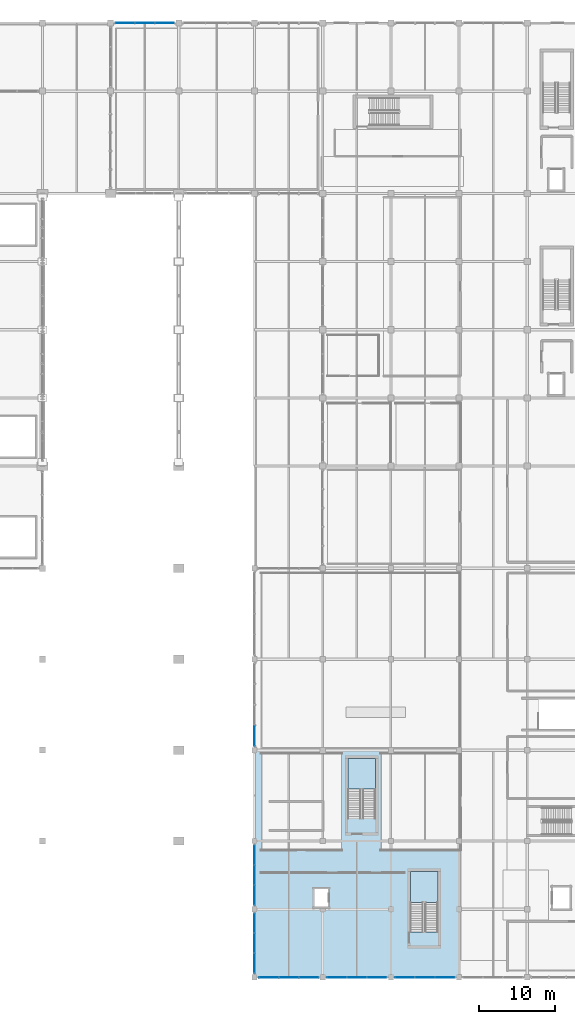
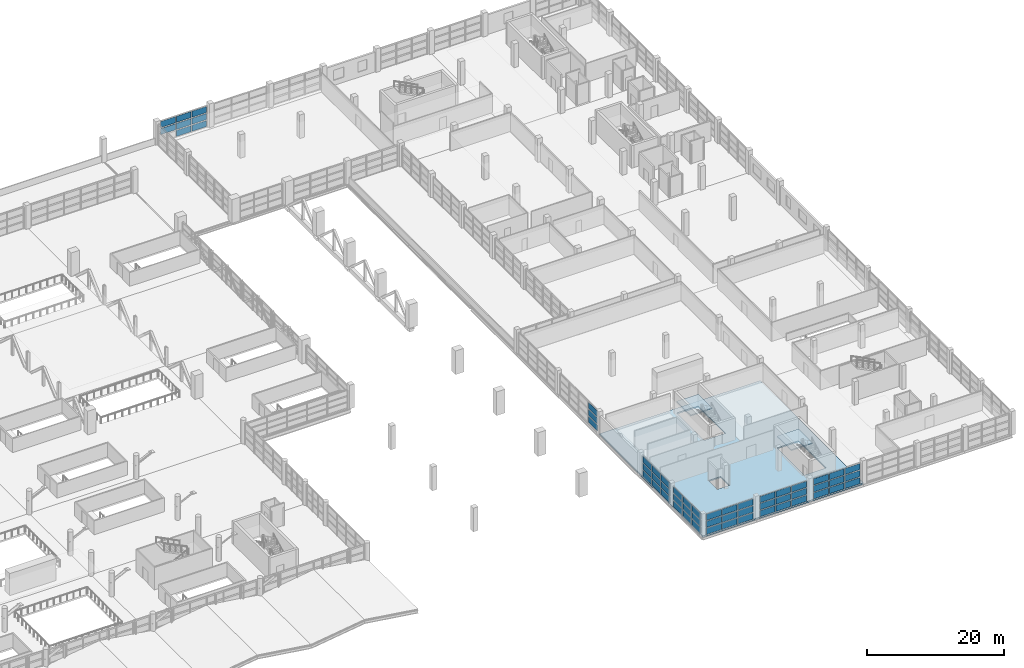
# One storey, part 110 of 136: 56 plates, 3 slabs, 9 elements without a shape of their own.
"""IFC4 building model written with IfcOpenShell, lengths in metres."""

from ifc_helpers import new_model, si_unit, direction, frame, origin, origin_2d, place, context, subcontext, project, spatial, polyline, rectangle, outline, extrude, material, layer, layer_set, type_object, element, aggregate, save


model = new_model("IFC4")

# Units and contexts
model_context = context("Model", 3, precision=1e-05, world=origin(), true_north=direction((0.0, 1.0)))
body_context = subcontext(model_context, "Body", "Model", "MODEL_VIEW")
ifc_project = project(units=[si_unit("LENGTHUNIT", "METRE"), si_unit("AREAUNIT", "SQUARE_METRE"), si_unit("VOLUMEUNIT", "CUBIC_METRE"), si_unit("PLANEANGLEUNIT", "RADIAN"), si_unit("MASSUNIT", "GRAM", prefix="KILO")], contexts=[model_context])

# Site, building, storey
site_placement = place(None, origin())
site = spatial("IfcSite", under=ifc_project, at=site_placement, CompositionType="ELEMENT")
building_placement = place(site_placement, origin())
building = spatial("IfcBuilding", under=site, at=building_placement, Name="Chuanluo Vaults Station", CompositionType="ELEMENT")
storey_placement = place(building_placement, frame((0.0, 0.0, 6.60009765625)))
storey = spatial("IfcBuildingStorey", under=building, at=storey_placement, Name="L01", CompositionType="ELEMENT", Elevation=6.60009765625)

# Curtain wall, plates
ifc_material_1 = material(Name="Anodised aluminium 6063-T6", Category="aluminium")
curtain_wall_type_1 = type_object("IfcCurtainWallType", Name="CW-SYS-05", PredefinedType="NOTDEFINED", material=ifc_material_1)
curtain_wall_1_placement = place(storey_placement, origin())
curtain_wall_1 = element("IfcCurtainWall", 1, at=curtain_wall_1_placement, inside=storey, type_object=curtain_wall_type_1, Name="Retail pavilion L01 facade CW", PredefinedType="NOTDEFINED")
ifc_material_2 = material(Name="Ceramic-fritted spandrel glass", Category="glass")
ifc_layer_1 = layer(ifc_material_2, 0.06396484375)
ifc_layer_set_1 = layer_set([ifc_layer_1], Name="Ceramic-fritted spandrel glass")
plate_type_1 = type_object("IfcPlateType", Name="CWP-SPN-42", PredefinedType="SHEET", material=ifc_layer_set_1)
plate_1_placement = place(storey_placement, frame((136.0, 1.85009765625, 0.080078125), z_axis=(0.0, 0.0, 1.0), x_axis=(0.0, 1.0, 0.0)))
plate_1 = element("IfcPlate", 2, at=plate_1_placement, type_object=plate_type_1, Name="Retail pavilion L01 facade CW glazed panel 1.1", PredefinedType="SHEET", context=body_context, shape_type="SweptSolid", body=[
    extrude(rectangle(XDim=2.489990234375, YDim=0.06396484375, at=origin_2d()), origin(), (0.0, 0.0, 1.0), 1.090087890625),
])
plate_2_placement = place(storey_placement, frame((136.0, 4.5, 0.080078125), z_axis=(0.0, 0.0, 1.0), x_axis=(0.0, 1.0, 0.0)))
plate_2 = element("IfcPlate", 3, at=plate_2_placement, type_object=plate_type_1, Name="Retail pavilion L01 facade CW glazed panel 2.1", PredefinedType="SHEET", context=body_context, shape_type="SweptSolid", body=[
    extrude(rectangle(XDim=2.489990234375, YDim=0.06396484375, at=origin_2d()), origin(), (0.0, 0.0, 1.0), 1.090087890625),
])
plate_3_placement = place(storey_placement, frame((136.0, 7.14990234375, 0.080078125), z_axis=(0.0, 0.0, 1.0), x_axis=(0.0, 1.0, 0.0)))
plate_3 = element("IfcPlate", 4, at=plate_3_placement, type_object=plate_type_1, Name="Retail pavilion L01 facade CW glazed panel 3.1", PredefinedType="SHEET", context=body_context, shape_type="SweptSolid", body=[
    extrude(rectangle(XDim=2.489990234375, YDim=0.06396484375, at=origin_2d()), origin(), (0.0, 0.0, 1.0), 1.090087890625),
])

# Curtain wall, plate
ifc_material_3 = material(Name="Anodised aluminium 6063-T6", Category="aluminium")
curtain_wall_type_2 = type_object("IfcCurtainWallType", Name="CW-SYS-07", PredefinedType="NOTDEFINED", material=ifc_material_3)
curtain_wall_2_placement = place(storey_placement, origin())
curtain_wall_2 = element("IfcCurtainWall", 5, at=curtain_wall_2_placement, inside=storey, type_object=curtain_wall_type_2, Name="Retail pavilion L01 facade CW", PredefinedType="NOTDEFINED")
plate_4_placement = place(storey_placement, frame((136.0, 31.893798828125, 0.080078125), z_axis=(0.0, 0.0, 1.0), x_axis=(0.0, 1.0, 0.0)))
plate_4 = element("IfcPlate", 6, at=plate_4_placement, type_object=plate_type_1, Name="Retail pavilion L01 facade CW glazed panel 1.1", PredefinedType="SHEET", context=body_context, shape_type="SweptSolid", body=[
    extrude(rectangle(XDim=2.577392578125, YDim=0.06396484375, at=origin_2d()), origin(), (0.0, 0.0, 1.0), 1.090087890625),
])

# Curtain wall, plates
ifc_material_4 = material(Name="Anodised aluminium 6063-T6", Category="aluminium")
curtain_wall_type_3 = type_object("IfcCurtainWallType", Name="CW-SYS-09", PredefinedType="NOTDEFINED", material=ifc_material_4)
curtain_wall_3_placement = place(storey_placement, origin())
curtain_wall_3 = element("IfcCurtainWall", 7, at=curtain_wall_3_placement, inside=storey, type_object=curtain_wall_type_3, Name="Retail pavilion L01 facade CW", PredefinedType="NOTDEFINED")
plate_5_placement = place(storey_placement, frame((143.14990234375, 0.0, 0.080078125), z_axis=(0.0, 0.0, 1.0), x_axis=(-1.0, 0.0, 0.0)))
plate_5 = element("IfcPlate", 8, at=plate_5_placement, type_object=plate_type_1, Name="Retail pavilion L01 facade CW glazed panel 1.1", PredefinedType="SHEET", context=body_context, shape_type="SweptSolid", body=[
    extrude(rectangle(XDim=2.489990234375, YDim=0.06396484375, at=origin_2d()), origin(), (0.0, 0.0, 1.0), 1.090087890625),
])
plate_6_placement = place(storey_placement, frame((140.5, 0.0, 0.080078125), z_axis=(0.0, 0.0, 1.0), x_axis=(-1.0, 0.0, 0.0)))
plate_6 = element("IfcPlate", 9, at=plate_6_placement, type_object=plate_type_1, Name="Retail pavilion L01 facade CW glazed panel 2.1", PredefinedType="SHEET", context=body_context, shape_type="SweptSolid", body=[
    extrude(rectangle(XDim=2.489990234375, YDim=0.06396484375, at=origin_2d()), origin(), (0.0, 0.0, 1.0), 1.090087890625),
])
plate_7_placement = place(storey_placement, frame((137.85009765625, 0.0, 0.080078125), z_axis=(0.0, 0.0, 1.0), x_axis=(-1.0, 0.0, 0.0)))
plate_7 = element("IfcPlate", 10, at=plate_7_placement, type_object=plate_type_1, Name="Retail pavilion L01 facade CW glazed panel 3.1", PredefinedType="SHEET", context=body_context, shape_type="SweptSolid", body=[
    extrude(rectangle(XDim=2.489990234375, YDim=0.06396484375, at=origin_2d()), origin(), (0.0, 0.0, 1.0), 1.090087890625),
])

ifc_material_5 = material(Name="Anodised aluminium 6063-T6", Category="aluminium")
curtain_wall_type_4 = type_object("IfcCurtainWallType", Name="CW-SYS-11", PredefinedType="NOTDEFINED", material=ifc_material_5)
curtain_wall_4_placement = place(storey_placement, origin())
curtain_wall_4 = element("IfcCurtainWall", 11, at=curtain_wall_4_placement, inside=storey, type_object=curtain_wall_type_4, Name="Retail pavilion L01 facade CW", PredefinedType="NOTDEFINED")
plate_8_placement = place(storey_placement, frame((161.14990234375, 0.0, 0.080078125), z_axis=(0.0, 0.0, 1.0), x_axis=(-1.0, 0.0, 0.0)))
plate_8 = element("IfcPlate", 12, at=plate_8_placement, type_object=plate_type_1, Name="Retail pavilion L01 facade CW glazed panel 1.1", PredefinedType="SHEET", context=body_context, shape_type="SweptSolid", body=[
    extrude(rectangle(XDim=2.489990234375, YDim=0.06396484375, at=origin_2d()), origin(), (0.0, 0.0, 1.0), 1.090087890625),
])
plate_9_placement = place(storey_placement, frame((158.5, 0.0, 0.080078125), z_axis=(0.0, 0.0, 1.0), x_axis=(-1.0, 0.0, 0.0)))
plate_9 = element("IfcPlate", 13, at=plate_9_placement, type_object=plate_type_1, Name="Retail pavilion L01 facade CW glazed panel 2.1", PredefinedType="SHEET", context=body_context, shape_type="SweptSolid", body=[
    extrude(rectangle(XDim=2.489990234375, YDim=0.06396484375, at=origin_2d()), origin(), (0.0, 0.0, 1.0), 1.090087890625),
])
plate_10_placement = place(storey_placement, frame((155.85009765625, 0.0, 0.080078125), z_axis=(0.0, 0.0, 1.0), x_axis=(-1.0, 0.0, 0.0)))
plate_10 = element("IfcPlate", 14, at=plate_10_placement, type_object=plate_type_1, Name="Retail pavilion L01 facade CW glazed panel 3.1", PredefinedType="SHEET", context=body_context, shape_type="SweptSolid", body=[
    extrude(rectangle(XDim=2.489990234375, YDim=0.06396484375, at=origin_2d()), origin(), (0.0, 0.0, 1.0), 1.090087890625),
])

ifc_material_6 = material(Name="Anodised aluminium 6063-T6", Category="aluminium")
curtain_wall_type_5 = type_object("IfcCurtainWallType", Name="CW-SYS-19", PredefinedType="NOTDEFINED", material=ifc_material_6)
curtain_wall_5_placement = place(storey_placement, origin())
curtain_wall_5 = element("IfcCurtainWall", 15, at=curtain_wall_5_placement, inside=storey, type_object=curtain_wall_type_5, Name="Operations L01 facade CW", PredefinedType="NOTDEFINED")
plate_11_placement = place(storey_placement, frame((121.5, 126.0, 0.080078125), z_axis=(0.0, 0.0, 1.0), x_axis=(1.0, 0.0, 0.0)))
plate_11 = element("IfcPlate", 16, at=plate_11_placement, type_object=plate_type_1, Name="Operations L01 facade CW glazed panel 2.1", PredefinedType="SHEET", context=body_context, shape_type="SweptSolid", body=[
    extrude(rectangle(XDim=2.456787109375, YDim=0.06396484375, at=origin_2d()), origin(), (0.0, 0.0, 1.0), 1.090087890625),
])
plate_12_placement = place(storey_placement, frame((124.11669921875, 126.0, 0.080078125), z_axis=(0.0, 0.0, 1.0), x_axis=(1.0, 0.0, 0.0)))
plate_12 = element("IfcPlate", 17, at=plate_12_placement, type_object=plate_type_1, Name="Operations L01 facade CW glazed panel 3.1", PredefinedType="SHEET", context=body_context, shape_type="SweptSolid", body=[
    extrude(rectangle(XDim=2.456787109375, YDim=0.06396484375, at=origin_2d()), origin(), (0.0, 0.0, 1.0), 1.090087890625),
])

ifc_material_7 = material(Name="Anodised aluminium 6063-T6", Category="aluminium")
curtain_wall_type_6 = type_object("IfcCurtainWallType", Name="CW-SYS-06", PredefinedType="NOTDEFINED", material=ifc_material_7)
curtain_wall_6_placement = place(storey_placement, origin())
curtain_wall_6 = element("IfcCurtainWall", 18, at=curtain_wall_6_placement, inside=storey, type_object=curtain_wall_type_6, Name="Retail pavilion L01 facade CW", PredefinedType="NOTDEFINED")
ifc_material_8 = material(Name="Ceramic-fritted spandrel glass", Category="glass")
ifc_layer_2 = layer(ifc_material_8, 0.070068359375)
ifc_layer_set_2 = layer_set([ifc_layer_2], Name="Ceramic-fritted spandrel glass")
plate_type_2 = type_object("IfcPlateType", Name="CWP-SPN-50", PredefinedType="SHEET", material=ifc_layer_set_2)
plate_13_placement = place(storey_placement, frame((136.0, 10.85009765625, 0.080078125), z_axis=(0.0, 0.0, 1.0), x_axis=(0.0, 1.0, 0.0)))
plate_13 = element("IfcPlate", 19, at=plate_13_placement, type_object=plate_type_2, Name="Retail pavilion L01 facade CW glazed panel 1.1", PredefinedType="SHEET", context=body_context, shape_type="SweptSolid", body=[
    extrude(rectangle(XDim=2.489990234375, YDim=0.070068359375, at=origin_2d()), origin(), (0.0, 0.0, 1.0), 1.090087890625),
])
plate_14_placement = place(storey_placement, frame((136.0, 13.5, 0.080078125), z_axis=(0.0, 0.0, 1.0), x_axis=(0.0, 1.0, 0.0)))
plate_14 = element("IfcPlate", 20, at=plate_14_placement, type_object=plate_type_2, Name="Retail pavilion L01 facade CW glazed panel 2.1", PredefinedType="SHEET", context=body_context, shape_type="SweptSolid", body=[
    extrude(rectangle(XDim=2.489990234375, YDim=0.070068359375, at=origin_2d()), origin(), (0.0, 0.0, 1.0), 1.090087890625),
])
plate_15_placement = place(storey_placement, frame((136.0, 16.14990234375, 0.080078125), z_axis=(0.0, 0.0, 1.0), x_axis=(0.0, 1.0, 0.0)))
plate_15 = element("IfcPlate", 21, at=plate_15_placement, type_object=plate_type_2, Name="Retail pavilion L01 facade CW glazed panel 3.1", PredefinedType="SHEET", context=body_context, shape_type="SweptSolid", body=[
    extrude(rectangle(XDim=2.489990234375, YDim=0.070068359375, at=origin_2d()), origin(), (0.0, 0.0, 1.0), 1.090087890625),
])

ifc_material_9 = material(Name="Anodised aluminium 6063-T6", Category="aluminium")
curtain_wall_type_7 = type_object("IfcCurtainWallType", Name="CW-SYS-10", PredefinedType="NOTDEFINED", material=ifc_material_9)
curtain_wall_7_placement = place(storey_placement, origin())
curtain_wall_7 = element("IfcCurtainWall", 22, at=curtain_wall_7_placement, inside=storey, type_object=curtain_wall_type_7, Name="Retail pavilion L01 facade CW", PredefinedType="NOTDEFINED")
plate_16_placement = place(storey_placement, frame((152.14990234375, 0.0, 0.080078125), z_axis=(0.0, 0.0, 1.0), x_axis=(-1.0, 0.0, 0.0)))
plate_16 = element("IfcPlate", 23, at=plate_16_placement, type_object=plate_type_2, Name="Retail pavilion L01 facade CW glazed panel 1.1", PredefinedType="SHEET", context=body_context, shape_type="SweptSolid", body=[
    extrude(rectangle(XDim=2.489990234375, YDim=0.070068359375, at=origin_2d()), origin(), (0.0, 0.0, 1.0), 1.090087890625),
])
plate_17_placement = place(storey_placement, frame((149.5, 0.0, 0.080078125), z_axis=(0.0, 0.0, 1.0), x_axis=(-1.0, 0.0, 0.0)))
plate_17 = element("IfcPlate", 24, at=plate_17_placement, type_object=plate_type_2, Name="Retail pavilion L01 facade CW glazed panel 2.1", PredefinedType="SHEET", context=body_context, shape_type="SweptSolid", body=[
    extrude(rectangle(XDim=2.489990234375, YDim=0.070068359375, at=origin_2d()), origin(), (0.0, 0.0, 1.0), 1.090087890625),
])
plate_18_placement = place(storey_placement, frame((146.85009765625, 0.0, 0.080078125), z_axis=(0.0, 0.0, 1.0), x_axis=(-1.0, 0.0, 0.0)))
plate_18 = element("IfcPlate", 25, at=plate_18_placement, type_object=plate_type_2, Name="Retail pavilion L01 facade CW glazed panel 3.1", PredefinedType="SHEET", context=body_context, shape_type="SweptSolid", body=[
    extrude(rectangle(XDim=2.489990234375, YDim=0.070068359375, at=origin_2d()), origin(), (0.0, 0.0, 1.0), 1.090087890625),
])

# Plate
ifc_material_10 = material(Name="Double-silver Low-E laminated glass", Category="glass")
ifc_layer_3 = layer(ifc_material_10, 0.048095703125)
ifc_layer_set_3 = layer_set([ifc_layer_3], Name="Double-silver Low-E laminated glass")
plate_type_3 = type_object("IfcPlateType", Name="CWP-VIS-32", PredefinedType="CURTAIN_PANEL", material=ifc_layer_set_3)
plate_19_placement = place(storey_placement, frame((136.0, 31.893798828125, 1.330078125), z_axis=(0.0, 0.0, 1.0), x_axis=(0.0, 1.0, 0.0)))
plate_19 = element("IfcPlate", 26, at=plate_19_placement, type_object=plate_type_3, Name="Retail pavilion L01 facade CW glazed panel 1.2", PredefinedType="CURTAIN_PANEL", context=body_context, shape_type="SweptSolid", body=[
    extrude(rectangle(XDim=2.577392578125, YDim=0.048095703125, at=origin_2d()), origin(), (0.0, 0.0, 1.0), 1.090087890625),
])

plate_20_placement = place(storey_placement, frame((136.0, 31.893798828125, 2.580078125), z_axis=(0.0, 0.0, 1.0), x_axis=(0.0, 1.0, 0.0)))
plate_20 = element("IfcPlate", 27, at=plate_20_placement, type_object=plate_type_3, Name="Retail pavilion L01 facade CW glazed panel 1.3", PredefinedType="CURTAIN_PANEL", context=body_context, shape_type="SweptSolid", body=[
    extrude(rectangle(XDim=2.577392578125, YDim=0.048095703125, at=origin_2d()), origin(), (0.0, 0.0, 1.0), 1.090087890625),
])

aggregate(curtain_wall_2, [plate_4, plate_19, plate_20])

plate_21_placement = place(storey_placement, frame((161.14990234375, 0.0, 1.330078125), z_axis=(0.0, 0.0, 1.0), x_axis=(-1.0, 0.0, 0.0)))
plate_21 = element("IfcPlate", 28, at=plate_21_placement, type_object=plate_type_3, Name="Retail pavilion L01 facade CW glazed panel 1.2", PredefinedType="CURTAIN_PANEL", context=body_context, shape_type="SweptSolid", body=[
    extrude(rectangle(XDim=2.489990234375, YDim=0.048095703125, at=origin_2d()), origin(), (0.0, 0.0, 1.0), 1.090087890625),
])

plate_22_placement = place(storey_placement, frame((161.14990234375, 0.0, 2.580078125), z_axis=(0.0, 0.0, 1.0), x_axis=(-1.0, 0.0, 0.0)))
plate_22 = element("IfcPlate", 29, at=plate_22_placement, type_object=plate_type_3, Name="Retail pavilion L01 facade CW glazed panel 1.3", PredefinedType="CURTAIN_PANEL", context=body_context, shape_type="SweptSolid", body=[
    extrude(rectangle(XDim=2.489990234375, YDim=0.048095703125, at=origin_2d()), origin(), (0.0, 0.0, 1.0), 1.090087890625),
])

plate_23_placement = place(storey_placement, frame((158.5, 0.0, 1.330078125), z_axis=(0.0, 0.0, 1.0), x_axis=(-1.0, 0.0, 0.0)))
plate_23 = element("IfcPlate", 30, at=plate_23_placement, type_object=plate_type_3, Name="Retail pavilion L01 facade CW glazed panel 2.2", PredefinedType="CURTAIN_PANEL", context=body_context, shape_type="SweptSolid", body=[
    extrude(rectangle(XDim=2.489990234375, YDim=0.048095703125, at=origin_2d()), origin(), (0.0, 0.0, 1.0), 1.090087890625),
])

plate_24_placement = place(storey_placement, frame((158.5, 0.0, 2.580078125), z_axis=(0.0, 0.0, 1.0), x_axis=(-1.0, 0.0, 0.0)))
plate_24 = element("IfcPlate", 31, at=plate_24_placement, type_object=plate_type_3, Name="Retail pavilion L01 facade CW glazed panel 2.3", PredefinedType="CURTAIN_PANEL", context=body_context, shape_type="SweptSolid", body=[
    extrude(rectangle(XDim=2.489990234375, YDim=0.048095703125, at=origin_2d()), origin(), (0.0, 0.0, 1.0), 1.090087890625),
])

plate_25_placement = place(storey_placement, frame((155.85009765625, 0.0, 1.330078125), z_axis=(0.0, 0.0, 1.0), x_axis=(-1.0, 0.0, 0.0)))
plate_25 = element("IfcPlate", 32, at=plate_25_placement, type_object=plate_type_3, Name="Retail pavilion L01 facade CW glazed panel 3.2", PredefinedType="CURTAIN_PANEL", context=body_context, shape_type="SweptSolid", body=[
    extrude(rectangle(XDim=2.489990234375, YDim=0.048095703125, at=origin_2d()), origin(), (0.0, 0.0, 1.0), 1.090087890625),
])

plate_26_placement = place(storey_placement, frame((155.85009765625, 0.0, 2.580078125), z_axis=(0.0, 0.0, 1.0), x_axis=(-1.0, 0.0, 0.0)))
plate_26 = element("IfcPlate", 33, at=plate_26_placement, type_object=plate_type_3, Name="Retail pavilion L01 facade CW glazed panel 3.3", PredefinedType="CURTAIN_PANEL", context=body_context, shape_type="SweptSolid", body=[
    extrude(rectangle(XDim=2.489990234375, YDim=0.048095703125, at=origin_2d()), origin(), (0.0, 0.0, 1.0), 1.090087890625),
])

aggregate(curtain_wall_4, [plate_8, plate_21, plate_22, plate_9, plate_23, plate_24, plate_10, plate_25, plate_26])

plate_27_placement = place(storey_placement, frame((118.88330078125, 126.0, 1.330078125), z_axis=(0.0, 0.0, 1.0), x_axis=(1.0, 0.0, 0.0)))
plate_27 = element("IfcPlate", 34, at=plate_27_placement, type_object=plate_type_3, Name="Operations L01 facade CW glazed panel 1.2", PredefinedType="CURTAIN_PANEL", context=body_context, shape_type="SweptSolid", body=[
    extrude(rectangle(XDim=2.456787109375, YDim=0.048095703125, at=origin_2d()), origin(), (0.0, 0.0, 1.0), 1.090087890625),
])

plate_28_placement = place(storey_placement, frame((118.88330078125, 126.0, 2.580078125), z_axis=(0.0, 0.0, 1.0), x_axis=(1.0, 0.0, 0.0)))
plate_28 = element("IfcPlate", 35, at=plate_28_placement, type_object=plate_type_3, Name="Operations L01 facade CW glazed panel 1.3", PredefinedType="CURTAIN_PANEL", context=body_context, shape_type="SweptSolid", body=[
    extrude(rectangle(XDim=2.456787109375, YDim=0.048095703125, at=origin_2d()), origin(), (0.0, 0.0, 1.0), 1.090087890625),
])

plate_29_placement = place(storey_placement, frame((121.5, 126.0, 1.330078125), z_axis=(0.0, 0.0, 1.0), x_axis=(1.0, 0.0, 0.0)))
plate_29 = element("IfcPlate", 36, at=plate_29_placement, type_object=plate_type_3, Name="Operations L01 facade CW glazed panel 2.2", PredefinedType="CURTAIN_PANEL", context=body_context, shape_type="SweptSolid", body=[
    extrude(rectangle(XDim=2.456787109375, YDim=0.048095703125, at=origin_2d()), origin(), (0.0, 0.0, 1.0), 1.090087890625),
])

plate_30_placement = place(storey_placement, frame((121.5, 126.0, 2.580078125), z_axis=(0.0, 0.0, 1.0), x_axis=(1.0, 0.0, 0.0)))
plate_30 = element("IfcPlate", 37, at=plate_30_placement, type_object=plate_type_3, Name="Operations L01 facade CW glazed panel 2.3", PredefinedType="CURTAIN_PANEL", context=body_context, shape_type="SweptSolid", body=[
    extrude(rectangle(XDim=2.456787109375, YDim=0.048095703125, at=origin_2d()), origin(), (0.0, 0.0, 1.0), 1.090087890625),
])

plate_31_placement = place(storey_placement, frame((124.11669921875, 126.0, 1.330078125), z_axis=(0.0, 0.0, 1.0), x_axis=(1.0, 0.0, 0.0)))
plate_31 = element("IfcPlate", 38, at=plate_31_placement, type_object=plate_type_3, Name="Operations L01 facade CW glazed panel 3.2", PredefinedType="CURTAIN_PANEL", context=body_context, shape_type="SweptSolid", body=[
    extrude(rectangle(XDim=2.456787109375, YDim=0.048095703125, at=origin_2d()), origin(), (0.0, 0.0, 1.0), 1.090087890625),
])

plate_32_placement = place(storey_placement, frame((124.11669921875, 126.0, 2.580078125), z_axis=(0.0, 0.0, 1.0), x_axis=(1.0, 0.0, 0.0)))
plate_32 = element("IfcPlate", 39, at=plate_32_placement, type_object=plate_type_3, Name="Operations L01 facade CW glazed panel 3.3", PredefinedType="CURTAIN_PANEL", context=body_context, shape_type="SweptSolid", body=[
    extrude(rectangle(XDim=2.456787109375, YDim=0.048095703125, at=origin_2d()), origin(), (0.0, 0.0, 1.0), 1.090087890625),
])

aggregate(curtain_wall_5, [plate_27, plate_28, plate_11, plate_29, plate_30, plate_12, plate_31, plate_32])

ifc_material_11 = material(Name="Double-silver Low-E laminated glass", Category="glass")
ifc_layer_4 = layer(ifc_material_11, 0.053955078125)
ifc_layer_set_4 = layer_set([ifc_layer_4], Name="Double-silver Low-E laminated glass")
plate_type_4 = type_object("IfcPlateType", Name="CWP-VIS-36", PredefinedType="CURTAIN_PANEL", material=ifc_layer_set_4)
plate_33_placement = place(storey_placement, frame((136.0, 10.85009765625, 1.330078125), z_axis=(0.0, 0.0, 1.0), x_axis=(0.0, 1.0, 0.0)))
plate_33 = element("IfcPlate", 40, at=plate_33_placement, type_object=plate_type_4, Name="Retail pavilion L01 facade CW glazed panel 1.2", PredefinedType="CURTAIN_PANEL", context=body_context, shape_type="SweptSolid", body=[
    extrude(rectangle(XDim=2.489990234375, YDim=0.053955078125, at=origin_2d()), origin(), (0.0, 0.0, 1.0), 1.090087890625),
])

plate_34_placement = place(storey_placement, frame((136.0, 10.85009765625, 2.580078125), z_axis=(0.0, 0.0, 1.0), x_axis=(0.0, 1.0, 0.0)))
plate_34 = element("IfcPlate", 41, at=plate_34_placement, type_object=plate_type_4, Name="Retail pavilion L01 facade CW glazed panel 1.3", PredefinedType="CURTAIN_PANEL", context=body_context, shape_type="SweptSolid", body=[
    extrude(rectangle(XDim=2.489990234375, YDim=0.053955078125, at=origin_2d()), origin(), (0.0, 0.0, 1.0), 1.090087890625),
])

plate_35_placement = place(storey_placement, frame((136.0, 13.5, 1.330078125), z_axis=(0.0, 0.0, 1.0), x_axis=(0.0, 1.0, 0.0)))
plate_35 = element("IfcPlate", 42, at=plate_35_placement, type_object=plate_type_4, Name="Retail pavilion L01 facade CW glazed panel 2.2", PredefinedType="CURTAIN_PANEL", context=body_context, shape_type="SweptSolid", body=[
    extrude(rectangle(XDim=2.489990234375, YDim=0.053955078125, at=origin_2d()), origin(), (0.0, 0.0, 1.0), 1.090087890625),
])

plate_36_placement = place(storey_placement, frame((136.0, 13.5, 2.580078125), z_axis=(0.0, 0.0, 1.0), x_axis=(0.0, 1.0, 0.0)))
plate_36 = element("IfcPlate", 43, at=plate_36_placement, type_object=plate_type_4, Name="Retail pavilion L01 facade CW glazed panel 2.3", PredefinedType="CURTAIN_PANEL", context=body_context, shape_type="SweptSolid", body=[
    extrude(rectangle(XDim=2.489990234375, YDim=0.053955078125, at=origin_2d()), origin(), (0.0, 0.0, 1.0), 1.090087890625),
])

plate_37_placement = place(storey_placement, frame((136.0, 16.14990234375, 1.330078125), z_axis=(0.0, 0.0, 1.0), x_axis=(0.0, 1.0, 0.0)))
plate_37 = element("IfcPlate", 44, at=plate_37_placement, type_object=plate_type_4, Name="Retail pavilion L01 facade CW glazed panel 3.2", PredefinedType="CURTAIN_PANEL", context=body_context, shape_type="SweptSolid", body=[
    extrude(rectangle(XDim=2.489990234375, YDim=0.053955078125, at=origin_2d()), origin(), (0.0, 0.0, 1.0), 1.090087890625),
])

plate_38_placement = place(storey_placement, frame((136.0, 16.14990234375, 2.580078125), z_axis=(0.0, 0.0, 1.0), x_axis=(0.0, 1.0, 0.0)))
plate_38 = element("IfcPlate", 45, at=plate_38_placement, type_object=plate_type_4, Name="Retail pavilion L01 facade CW glazed panel 3.3", PredefinedType="CURTAIN_PANEL", context=body_context, shape_type="SweptSolid", body=[
    extrude(rectangle(XDim=2.489990234375, YDim=0.053955078125, at=origin_2d()), origin(), (0.0, 0.0, 1.0), 1.090087890625),
])

aggregate(curtain_wall_6, [plate_13, plate_33, plate_34, plate_14, plate_35, plate_36, plate_15, plate_37, plate_38])

plate_39_placement = place(storey_placement, frame((152.14990234375, 0.0, 1.330078125), z_axis=(0.0, 0.0, 1.0), x_axis=(-1.0, 0.0, 0.0)))
plate_39 = element("IfcPlate", 46, at=plate_39_placement, type_object=plate_type_4, Name="Retail pavilion L01 facade CW glazed panel 1.2", PredefinedType="CURTAIN_PANEL", context=body_context, shape_type="SweptSolid", body=[
    extrude(rectangle(XDim=2.489990234375, YDim=0.053955078125, at=origin_2d()), origin(), (0.0, 0.0, 1.0), 1.090087890625),
])

plate_40_placement = place(storey_placement, frame((152.14990234375, 0.0, 2.580078125), z_axis=(0.0, 0.0, 1.0), x_axis=(-1.0, 0.0, 0.0)))
plate_40 = element("IfcPlate", 47, at=plate_40_placement, type_object=plate_type_4, Name="Retail pavilion L01 facade CW glazed panel 1.3", PredefinedType="CURTAIN_PANEL", context=body_context, shape_type="SweptSolid", body=[
    extrude(rectangle(XDim=2.489990234375, YDim=0.053955078125, at=origin_2d()), origin(), (0.0, 0.0, 1.0), 1.090087890625),
])

plate_41_placement = place(storey_placement, frame((149.5, 0.0, 1.330078125), z_axis=(0.0, 0.0, 1.0), x_axis=(-1.0, 0.0, 0.0)))
plate_41 = element("IfcPlate", 48, at=plate_41_placement, type_object=plate_type_4, Name="Retail pavilion L01 facade CW glazed panel 2.2", PredefinedType="CURTAIN_PANEL", context=body_context, shape_type="SweptSolid", body=[
    extrude(rectangle(XDim=2.489990234375, YDim=0.053955078125, at=origin_2d()), origin(), (0.0, 0.0, 1.0), 1.090087890625),
])

plate_42_placement = place(storey_placement, frame((149.5, 0.0, 2.580078125), z_axis=(0.0, 0.0, 1.0), x_axis=(-1.0, 0.0, 0.0)))
plate_42 = element("IfcPlate", 49, at=plate_42_placement, type_object=plate_type_4, Name="Retail pavilion L01 facade CW glazed panel 2.3", PredefinedType="CURTAIN_PANEL", context=body_context, shape_type="SweptSolid", body=[
    extrude(rectangle(XDim=2.489990234375, YDim=0.053955078125, at=origin_2d()), origin(), (0.0, 0.0, 1.0), 1.090087890625),
])

plate_43_placement = place(storey_placement, frame((146.85009765625, 0.0, 1.330078125), z_axis=(0.0, 0.0, 1.0), x_axis=(-1.0, 0.0, 0.0)))
plate_43 = element("IfcPlate", 50, at=plate_43_placement, type_object=plate_type_4, Name="Retail pavilion L01 facade CW glazed panel 3.2", PredefinedType="CURTAIN_PANEL", context=body_context, shape_type="SweptSolid", body=[
    extrude(rectangle(XDim=2.489990234375, YDim=0.053955078125, at=origin_2d()), origin(), (0.0, 0.0, 1.0), 1.090087890625),
])

plate_44_placement = place(storey_placement, frame((146.85009765625, 0.0, 2.580078125), z_axis=(0.0, 0.0, 1.0), x_axis=(-1.0, 0.0, 0.0)))
plate_44 = element("IfcPlate", 51, at=plate_44_placement, type_object=plate_type_4, Name="Retail pavilion L01 facade CW glazed panel 3.3", PredefinedType="CURTAIN_PANEL", context=body_context, shape_type="SweptSolid", body=[
    extrude(rectangle(XDim=2.489990234375, YDim=0.053955078125, at=origin_2d()), origin(), (0.0, 0.0, 1.0), 1.090087890625),
])

aggregate(curtain_wall_7, [plate_16, plate_39, plate_40, plate_17, plate_41, plate_42, plate_18, plate_43, plate_44])

ifc_material_12 = material(Name="Double-silver Low-E laminated glass", Category="glass")
ifc_layer_5 = layer(ifc_material_12, 0.05810546875)
ifc_layer_set_5 = layer_set([ifc_layer_5], Name="Double-silver Low-E laminated glass")
plate_type_5 = type_object("IfcPlateType", Name="CWP-VIS-38", PredefinedType="CURTAIN_PANEL", material=ifc_layer_set_5)
plate_45_placement = place(storey_placement, frame((136.0, 1.85009765625, 1.330078125), z_axis=(0.0, 0.0, 1.0), x_axis=(0.0, 1.0, 0.0)))
plate_45 = element("IfcPlate", 52, at=plate_45_placement, type_object=plate_type_5, Name="Retail pavilion L01 facade CW glazed panel 1.2", PredefinedType="CURTAIN_PANEL", context=body_context, shape_type="SweptSolid", body=[
    extrude(rectangle(XDim=2.489990234375, YDim=0.05810546875, at=origin_2d()), origin(), (0.0, 0.0, 1.0), 1.090087890625),
])

plate_46_placement = place(storey_placement, frame((136.0, 1.85009765625, 2.580078125), z_axis=(0.0, 0.0, 1.0), x_axis=(0.0, 1.0, 0.0)))
plate_46 = element("IfcPlate", 53, at=plate_46_placement, type_object=plate_type_5, Name="Retail pavilion L01 facade CW glazed panel 1.3", PredefinedType="CURTAIN_PANEL", context=body_context, shape_type="SweptSolid", body=[
    extrude(rectangle(XDim=2.489990234375, YDim=0.05810546875, at=origin_2d()), origin(), (0.0, 0.0, 1.0), 1.090087890625),
])

plate_47_placement = place(storey_placement, frame((136.0, 4.5, 1.330078125), z_axis=(0.0, 0.0, 1.0), x_axis=(0.0, 1.0, 0.0)))
plate_47 = element("IfcPlate", 54, at=plate_47_placement, type_object=plate_type_5, Name="Retail pavilion L01 facade CW glazed panel 2.2", PredefinedType="CURTAIN_PANEL", context=body_context, shape_type="SweptSolid", body=[
    extrude(rectangle(XDim=2.489990234375, YDim=0.05810546875, at=origin_2d()), origin(), (0.0, 0.0, 1.0), 1.090087890625),
])

plate_48_placement = place(storey_placement, frame((136.0, 4.5, 2.580078125), z_axis=(0.0, 0.0, 1.0), x_axis=(0.0, 1.0, 0.0)))
plate_48 = element("IfcPlate", 55, at=plate_48_placement, type_object=plate_type_5, Name="Retail pavilion L01 facade CW glazed panel 2.3", PredefinedType="CURTAIN_PANEL", context=body_context, shape_type="SweptSolid", body=[
    extrude(rectangle(XDim=2.489990234375, YDim=0.05810546875, at=origin_2d()), origin(), (0.0, 0.0, 1.0), 1.090087890625),
])

plate_49_placement = place(storey_placement, frame((136.0, 7.14990234375, 1.330078125), z_axis=(0.0, 0.0, 1.0), x_axis=(0.0, 1.0, 0.0)))
plate_49 = element("IfcPlate", 56, at=plate_49_placement, type_object=plate_type_5, Name="Retail pavilion L01 facade CW glazed panel 3.2", PredefinedType="CURTAIN_PANEL", context=body_context, shape_type="SweptSolid", body=[
    extrude(rectangle(XDim=2.489990234375, YDim=0.05810546875, at=origin_2d()), origin(), (0.0, 0.0, 1.0), 1.090087890625),
])

plate_50_placement = place(storey_placement, frame((136.0, 7.14990234375, 2.580078125), z_axis=(0.0, 0.0, 1.0), x_axis=(0.0, 1.0, 0.0)))
plate_50 = element("IfcPlate", 57, at=plate_50_placement, type_object=plate_type_5, Name="Retail pavilion L01 facade CW glazed panel 3.3", PredefinedType="CURTAIN_PANEL", context=body_context, shape_type="SweptSolid", body=[
    extrude(rectangle(XDim=2.489990234375, YDim=0.05810546875, at=origin_2d()), origin(), (0.0, 0.0, 1.0), 1.090087890625),
])

aggregate(curtain_wall_1, [plate_1, plate_45, plate_46, plate_2, plate_47, plate_48, plate_3, plate_49, plate_50])

plate_51_placement = place(storey_placement, frame((143.14990234375, 0.0, 1.330078125), z_axis=(0.0, 0.0, 1.0), x_axis=(-1.0, 0.0, 0.0)))
plate_51 = element("IfcPlate", 58, at=plate_51_placement, type_object=plate_type_5, Name="Retail pavilion L01 facade CW glazed panel 1.2", PredefinedType="CURTAIN_PANEL", context=body_context, shape_type="SweptSolid", body=[
    extrude(rectangle(XDim=2.489990234375, YDim=0.05810546875, at=origin_2d()), origin(), (0.0, 0.0, 1.0), 1.090087890625),
])

plate_52_placement = place(storey_placement, frame((143.14990234375, 0.0, 2.580078125), z_axis=(0.0, 0.0, 1.0), x_axis=(-1.0, 0.0, 0.0)))
plate_52 = element("IfcPlate", 59, at=plate_52_placement, type_object=plate_type_5, Name="Retail pavilion L01 facade CW glazed panel 1.3", PredefinedType="CURTAIN_PANEL", context=body_context, shape_type="SweptSolid", body=[
    extrude(rectangle(XDim=2.489990234375, YDim=0.05810546875, at=origin_2d()), origin(), (0.0, 0.0, 1.0), 1.090087890625),
])

plate_53_placement = place(storey_placement, frame((140.5, 0.0, 1.330078125), z_axis=(0.0, 0.0, 1.0), x_axis=(-1.0, 0.0, 0.0)))
plate_53 = element("IfcPlate", 60, at=plate_53_placement, type_object=plate_type_5, Name="Retail pavilion L01 facade CW glazed panel 2.2", PredefinedType="CURTAIN_PANEL", context=body_context, shape_type="SweptSolid", body=[
    extrude(rectangle(XDim=2.489990234375, YDim=0.05810546875, at=origin_2d()), origin(), (0.0, 0.0, 1.0), 1.090087890625),
])

plate_54_placement = place(storey_placement, frame((140.5, 0.0, 2.580078125), z_axis=(0.0, 0.0, 1.0), x_axis=(-1.0, 0.0, 0.0)))
plate_54 = element("IfcPlate", 61, at=plate_54_placement, type_object=plate_type_5, Name="Retail pavilion L01 facade CW glazed panel 2.3", PredefinedType="CURTAIN_PANEL", context=body_context, shape_type="SweptSolid", body=[
    extrude(rectangle(XDim=2.489990234375, YDim=0.05810546875, at=origin_2d()), origin(), (0.0, 0.0, 1.0), 1.090087890625),
])

plate_55_placement = place(storey_placement, frame((137.85009765625, 0.0, 1.330078125), z_axis=(0.0, 0.0, 1.0), x_axis=(-1.0, 0.0, 0.0)))
plate_55 = element("IfcPlate", 62, at=plate_55_placement, type_object=plate_type_5, Name="Retail pavilion L01 facade CW glazed panel 3.2", PredefinedType="CURTAIN_PANEL", context=body_context, shape_type="SweptSolid", body=[
    extrude(rectangle(XDim=2.489990234375, YDim=0.05810546875, at=origin_2d()), origin(), (0.0, 0.0, 1.0), 1.090087890625),
])

plate_56_placement = place(storey_placement, frame((137.85009765625, 0.0, 2.580078125), z_axis=(0.0, 0.0, 1.0), x_axis=(-1.0, 0.0, 0.0)))
plate_56 = element("IfcPlate", 63, at=plate_56_placement, type_object=plate_type_5, Name="Retail pavilion L01 facade CW glazed panel 3.3", PredefinedType="CURTAIN_PANEL", context=body_context, shape_type="SweptSolid", body=[
    extrude(rectangle(XDim=2.489990234375, YDim=0.05810546875, at=origin_2d()), origin(), (0.0, 0.0, 1.0), 1.090087890625),
])

aggregate(curtain_wall_3, [plate_5, plate_51, plate_52, plate_6, plate_53, plate_54, plate_7, plate_55, plate_56])

# Stair, slab
ifc_material_13 = material(Name="Concrete C40", Category="concrete")
stair_type = type_object("IfcStairType", Name="STR-TWO-1600", PredefinedType="HALF_TURN_STAIR", material=ifc_material_13)
stair_1_placement = place(storey_placement, origin())
stair_1 = element("IfcStair", 64, at=stair_1_placement, inside=storey, type_object=stair_type, Name="L01 ST-04", PredefinedType="HALF_TURN_STAIR")
ifc_material_14 = material(Name="Concrete C40", Category="concrete")
ifc_layer_6 = layer(ifc_material_14, 0.199951171875)
ifc_layer_set_6 = layer_set([ifc_layer_6], Name="Concrete C40")
slab_type_1 = type_object("IfcSlabType", Name="SLB-LND-200", PredefinedType="LANDING", material=ifc_layer_set_6)
slab_1_placement = place(storey_placement, frame((0.0, 0.0, 1.89990234375)))
slab_1 = element("IfcSlab", 65, at=slab_1_placement, type_object=slab_type_1, Name="ST-04 landing 1", PredefinedType="LANDING", context=body_context, shape_type="SweptSolid", body=[
    extrude(outline(polyline([(151.9375, 24.83740234375), (151.9375, 28.922607421875), (148.3173828125, 28.922607421875), (148.3173828125, 24.83740234375), (151.9375, 24.83740234375)])), origin(), (0.0, 0.0, 1.0), 0.199951171875),
])
aggregate(stair_1, [slab_1])

stair_2_placement = place(storey_placement, origin())
stair_2 = element("IfcStair", 66, at=stair_2_placement, inside=storey, type_object=stair_type, Name="L01 ST-05", PredefinedType="HALF_TURN_STAIR")
slab_2_placement = place(storey_placement, frame((0.0, 0.0, 1.89990234375)))
slab_2 = element("IfcSlab", 67, at=slab_2_placement, type_object=slab_type_1, Name="ST-05 landing 1", PredefinedType="LANDING", context=body_context, shape_type="SweptSolid", body=[
    extrude(outline(polyline([(160.1875, 9.89990234375), (160.1875, 13.985107421875), (156.5673828125, 13.985107421875), (156.5673828125, 9.89990234375), (160.1875, 9.89990234375)])), origin(), (0.0, 0.0, 1.0), 0.199951171875),
])
aggregate(stair_2, [slab_2])

# Slab
ifc_material_15 = material(Name="Concrete C40", Category="concrete")
ifc_layer_7 = layer(ifc_material_15, 0.239990234375)
ifc_layer_set_7 = layer_set([ifc_layer_7], Name="Concrete C40")
slab_type_2 = type_object("IfcSlabType", Name="SLB-OPS-240", PredefinedType="FLOOR", material=ifc_layer_set_7)
slab_3_placement = place(storey_placement, frame((0.0, 0.0, -0.239990234375)))
element("IfcSlab", 68, at=slab_3_placement, inside=storey, type_object=slab_type_2, Name="L01 RET slab 01", PredefinedType="FLOOR", context=body_context, shape_type="SweptSolid", body=[
    extrude(outline(polyline([(136.0, 0.0), (163.0, 0.0), (163.0, 30.0), (136.0, 30.0), (136.0, 0.0)]), holes=[polyline([(151.9375, 20.94140625), (151.9375, 28.922607421875), (148.3173828125, 28.922607421875), (148.3173828125, 20.94140625), (151.9375, 20.94140625)]), polyline([(160.1875, 6.00390625), (160.1875, 13.985107421875), (156.5673828125, 13.985107421875), (156.5673828125, 6.00390625), (160.1875, 6.00390625)]), polyline([(143.780029296875, 9.22998046875), (145.820068359375, 9.22998046875), (145.820068359375, 11.77001953125), (143.780029296875, 11.77001953125), (143.780029296875, 9.22998046875)])]), origin(), (0.0, 0.0, 1.0), 0.239990234375),
])

save(model, "model.ifc")
